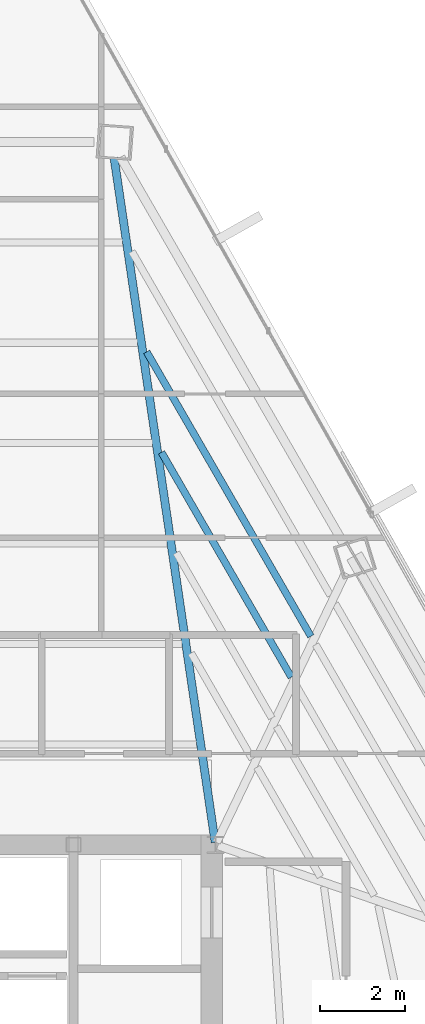
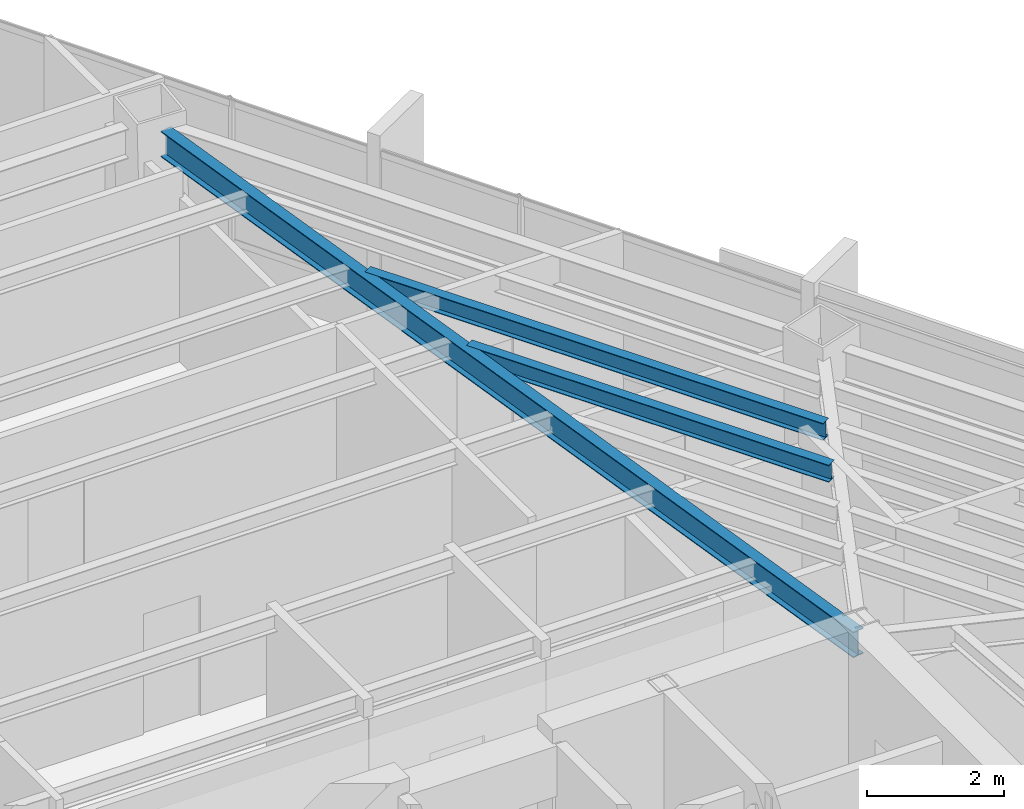
# One storey, part 26 of 42: 3 beams.
"""IFC4 building model written with IfcOpenShell, lengths in metres."""

from ifc_helpers import new_model, si_unit, direction, frame, origin, origin_2d, place, context, subcontext, project, spatial, i_section, extrude, source, transform, mapped, material, material_profile, profile_set, type_object, type_shapes, element, save


model = new_model("IFC4")

# Units and contexts
model_context = context("Model", 3, precision=1e-05, world=origin(), true_north=direction((0.0, 1.0)))
body_context = subcontext(model_context, "Body", "Model", "MODEL_VIEW")
ifc_project = project(units=[si_unit("LENGTHUNIT", "METRE"), si_unit("AREAUNIT", "SQUARE_METRE"), si_unit("VOLUMEUNIT", "CUBIC_METRE"), si_unit("PLANEANGLEUNIT", "RADIAN"), si_unit("MASSUNIT", "GRAM", prefix="KILO")], contexts=[model_context])

# Site, building, storey
site_placement = place(None, origin())
site = spatial("IfcSite", under=ifc_project, at=site_placement, CompositionType="ELEMENT")
building_placement = place(site_placement, origin())
building = spatial("IfcBuilding", under=site, at=building_placement, Name="Caelisora Broadcast Tower", CompositionType="ELEMENT")
storey_placement = place(building_placement, frame((0.0, 0.0, 202.300048828125)))
storey = spatial("IfcBuildingStorey", under=building, at=storey_placement, Name="L53", CompositionType="ELEMENT", Elevation=202.300048828125)

# Beams
ifc_material = material(Name="Steel Grade 350 (AS/NZS 3679.1)", Category="steel")
ifc_material_profile_1 = material_profile(ifc_material, i_section(OverallWidth=0.19091796875, OverallDepth=0.46044921875, WebThickness=0.010009765625, FlangeThickness=0.01611328125, at=origin_2d()), Name="Steel Grade 350 (AS/NZS 3679.1)")
ifc_profile_set_1 = profile_set([ifc_material_profile_1], Name="Steel Grade 350 (AS/NZS 3679.1)")
beam_type_1 = type_object("IfcBeamType", Name="PG06", PredefinedType="BEAM", material=ifc_profile_set_1)
shared_shape_1 = source(origin(), body_context, "Body", "SweptSolid", [
    extrude(i_section(OverallWidth=0.19091796875, OverallDepth=0.46044921875, WebThickness=0.010009765625, FlangeThickness=0.01611328125, at=origin_2d()), origin(), (0.0, 0.0, 1.0), 16.32958984375),
])
type_shapes(beam_type_1, [shared_shape_1])
beam_1_placement = place(storey_placement, frame((45.4912109375, 30.059326171875, 3.169677734375), z_axis=(-0.146068575075, 0.98927446716, 0.0), x_axis=(-0.98927446716, -0.146068575075, 0.0)))
element("IfcBeam", 1, at=beam_1_placement, inside=storey, type_object=beam_type_1, Name="L53 beam PG06", PredefinedType="BEAM", context=body_context, shape_type="MappedRepresentation", body=[
    mapped(shared_shape_1, transform((0.0, 0.0, 0.0), scale=1.0)),
])
ifc_material_profile_2 = material_profile(ifc_material, i_section(OverallWidth=0.166015625, OverallDepth=0.30712890625, WebThickness=0.006591796875, FlangeThickness=0.01171875, at=origin_2d()), Name="Steel Grade 350 (AS/NZS 3679.1)")
ifc_profile_set_2 = profile_set([ifc_material_profile_2], Name="Steel Grade 350 (AS/NZS 3679.1)")
beam_type_2 = type_object("IfcBeamType", Name="SB03", PredefinedType="JOIST", material=ifc_profile_set_2)
shared_shape_2 = source(origin(), body_context, "Body", "SweptSolid", [
    extrude(i_section(OverallWidth=0.166015625, OverallDepth=0.30712890625, WebThickness=0.006591796875, FlangeThickness=0.01171875, at=origin_2d()), origin(), (0.0, 0.0, 1.0), 6.128173828125),
])
beam_2_placement = place(storey_placement, frame((47.288818359375, 33.95556640625, 3.246337890625), z_axis=(-0.499986848347, 0.866032996762, 0.0), x_axis=(-0.866032996762, -0.499986848347, 0.0)))
element("IfcBeam", 2, at=beam_2_placement, inside=storey, type_object=beam_type_2, Name="L53 beam SB03", PredefinedType="JOIST", context=body_context, shape_type="MappedRepresentation", body=[
    mapped(shared_shape_2, transform((0.0, 0.0, 0.0), scale=1.0)),
])
shared_shape_3 = source(origin(), body_context, "Body", "SweptSolid", [
    extrude(i_section(OverallWidth=0.166015625, OverallDepth=0.30712890625, WebThickness=0.006591796875, FlangeThickness=0.01171875, at=origin_2d()), origin(), (0.0, 0.0, 1.0), 7.75048828125),
])
type_shapes(beam_type_2, [shared_shape_2, shared_shape_3])
beam_3_placement = place(storey_placement, frame((47.750244140625, 34.919921875, 3.246337890625), z_axis=(-0.499997851292, 0.866026644338, 0.0), x_axis=(-0.866026644338, -0.499997851292, 0.0)))
element("IfcBeam", 3, at=beam_3_placement, inside=storey, type_object=beam_type_2, Name="L53 beam SB03", PredefinedType="JOIST", context=body_context, shape_type="MappedRepresentation", body=[
    mapped(shared_shape_3, transform((0.0, 0.0, 0.0), scale=1.0)),
])

save(model, "model.ifc")
